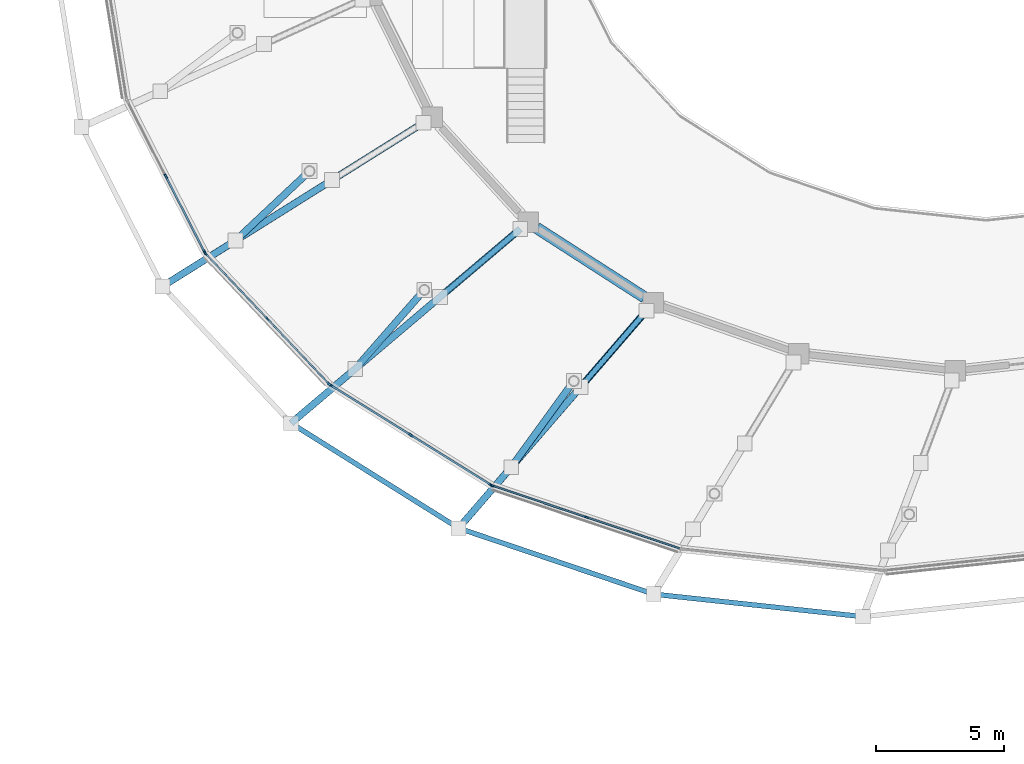
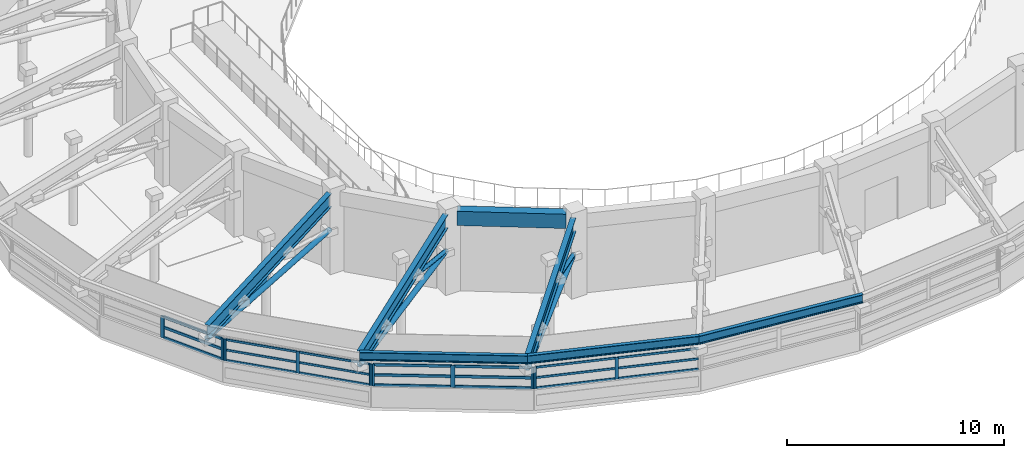
# One storey, part 12 of 58: 39 members, 7 beams, 4 elements without a shape of their own.
"""IFC4 building model written with IfcOpenShell, lengths in metres."""

from ifc_helpers import new_model, si_unit, direction, frame, origin, origin_2d, place, context, subcontext, project, spatial, rectangle, hollow_circle, i_section, extrude, material, material_profile, profile_set, type_object, element, aggregate, save


model = new_model("IFC4")

# Units and contexts
model_context = context("Model", 3, precision=1e-05, world=origin(), true_north=direction((0.0, 1.0)))
body_context = subcontext(model_context, "Body", "Model", "MODEL_VIEW")
ifc_project = project(units=[si_unit("LENGTHUNIT", "METRE"), si_unit("AREAUNIT", "SQUARE_METRE"), si_unit("VOLUMEUNIT", "CUBIC_METRE"), si_unit("PLANEANGLEUNIT", "RADIAN"), si_unit("MASSUNIT", "GRAM", prefix="KILO")], contexts=[model_context])

# Site, building, storey
site_placement = place(None, origin())
site = spatial("IfcSite", under=ifc_project, at=site_placement, CompositionType="ELEMENT")
building_placement = place(site_placement, origin())
building = spatial("IfcBuilding", under=site, at=building_placement, Name="Parian Resonance Hall", CompositionType="ELEMENT")
storey_placement = place(building_placement, frame((0.0, 0.0, 10.199951171875)))
storey = spatial("IfcBuildingStorey", under=building, at=storey_placement, Name="L02", CompositionType="ELEMENT", Elevation=10.199951171875)

# Beams
ifc_material_1 = material(Name="Concrete C40/50", Category="concrete")
ifc_material_profile_1 = material_profile(ifc_material_1, rectangle(XDim=0.449951171875, YDim=0.800048828125, at=origin_2d()), Name="RC-BM-450x800")
ifc_profile_set_1 = profile_set([ifc_material_profile_1], Name="Concrete C40/50")
beam_type_1 = type_object("IfcBeamType", Name="BM-RC450x800", PredefinedType="USERDEFINED", material=ifc_profile_set_1)
beam_1_placement = place(storey_placement, frame((27.648681640625, 29.78271484375, 4.130126953125), z_axis=(0.840822266108, -0.541311293819, 0.0), x_axis=(0.541311293819, 0.840822266108, 0.0)))
element("IfcBeam", 1, at=beam_1_placement, inside=storey, type_object=beam_type_1, Name="Concert hall drum ring beam L02-16", ObjectType="GIRDER", PredefinedType="USERDEFINED", context=body_context, shape_type="SweptSolid", body=[
    extrude(rectangle(XDim=0.449951171875, YDim=0.800048828125, at=origin_2d()), origin(), (0.0, 0.0, 1.0), 5.012939453125),
])
ifc_material_2 = material(Name="Steel S355", Category="steel")
ifc_material_profile_2 = material_profile(ifc_material_2, i_section(OverallWidth=0.194091796875, OverallDepth=0.468994140625, WebThickness=0.0126953125, FlangeThickness=0.0205078125, FilletRadius=0.01513671875, at=origin_2d()), Name="W460x106")
ifc_profile_set_2 = profile_set([ifc_material_profile_2], Name="Steel S355")
beam_type_2 = type_object("IfcBeamType", Name="BM-W460x106", PredefinedType="SPANDREL", material=ifc_profile_set_2)
beam_2_placement = place(storey_placement, frame((18.055419921875, 22.156494140625, 4.265625), z_axis=(0.847434839889, -0.530899418103, 0.0), x_axis=(0.530899418103, 0.847434839889, 0.0)))
element("IfcBeam", 2, at=beam_2_placement, inside=storey, type_object=beam_type_2, Name="Elliptical R3 perimeter spandrel beam 16", PredefinedType="SPANDREL", context=body_context, shape_type="SweptSolid", body=[
    extrude(i_section(OverallWidth=0.194091796875, OverallDepth=0.468994140625, WebThickness=0.0126953125, FlangeThickness=0.0205078125, FilletRadius=0.01513671875, at=origin_2d()), origin(), (0.0, 0.0, 1.0), 7.722900390625),
])
beam_3_placement = place(storey_placement, frame((24.60009765625, 18.056396484375, 4.265625), z_axis=(0.947293493077, -0.320367036341, 0.0), x_axis=(0.320367036341, 0.947293493077, 0.0)))
element("IfcBeam", 3, at=beam_3_placement, inside=storey, type_object=beam_type_2, Name="Elliptical R3 perimeter spandrel beam 17", PredefinedType="SPANDREL", context=body_context, shape_type="SweptSolid", body=[
    extrude(i_section(OverallWidth=0.194091796875, OverallDepth=0.468994140625, WebThickness=0.0126953125, FlangeThickness=0.0205078125, FilletRadius=0.01513671875, at=origin_2d()), origin(), (0.0, 0.0, 1.0), 8.045166015625),
])
beam_4_placement = place(storey_placement, frame((32.22119140625, 15.47900390625, 4.265625), z_axis=(0.99427541963, -0.106847507781, 0.0), x_axis=(0.106847507781, 0.99427541963, 0.0)))
element("IfcBeam", 4, at=beam_4_placement, inside=storey, type_object=beam_type_2, Name="Elliptical R3 perimeter spandrel beam 18", PredefinedType="SPANDREL", context=body_context, shape_type="SweptSolid", body=[
    extrude(i_section(OverallWidth=0.194091796875, OverallDepth=0.468994140625, WebThickness=0.0126953125, FlangeThickness=0.0205078125, FilletRadius=0.01513671875, at=origin_2d()), origin(), (0.0, 0.0, 1.0), 8.225830078125),
])
ifc_material_3 = material(Name="Steel S355", Category="steel")
ifc_material_profile_3 = material_profile(ifc_material_3, i_section(OverallWidth=0.26806640625, OverallDepth=0.77001953125, WebThickness=0.015625, FlangeThickness=0.025390625, FilletRadius=0.020263671875, at=origin_2d()), Name="W760x196")
ifc_profile_set_3 = profile_set([ifc_material_profile_3], Name="Steel S355")
beam_type_3 = type_object("IfcBeamType", Name="CG3 W760x196", PredefinedType="USERDEFINED", material=ifc_profile_set_3)
beam_5_placement = place(storey_placement, frame((23.222900390625, 33.887451171875, 4.114990234375), z_axis=(-0.84728013398, -0.531146283582, 0.0), x_axis=(0.531146283582, -0.84728013398, 0.0)))
element("IfcBeam", 5, at=beam_5_placement, inside=storey, type_object=beam_type_3, Name="Radial ring cantilever girder R3-15", ObjectType="GIRDER", PredefinedType="USERDEFINED", context=body_context, shape_type="SweptSolid", body=[
    extrude(i_section(OverallWidth=0.26806640625, OverallDepth=0.77001953125, WebThickness=0.015625, FlangeThickness=0.025390625, FilletRadius=0.020263671875, at=origin_2d()), origin(), (0.0, 0.0, 1.0), 12.02587890625),
])
beam_6_placement = place(storey_placement, frame((27.007080078125, 29.74072265625, 4.114990234375), z_axis=(-0.762976484964, -0.646426239715, 0.0), x_axis=(0.646426239715, -0.762976484964, 0.0)))
element("IfcBeam", 6, at=beam_6_placement, inside=storey, type_object=beam_type_3, Name="Radial ring cantilever girder R3-16", ObjectType="GIRDER", PredefinedType="USERDEFINED", context=body_context, shape_type="SweptSolid", body=[
    extrude(i_section(OverallWidth=0.26806640625, OverallDepth=0.77001953125, WebThickness=0.015625, FlangeThickness=0.025390625, FilletRadius=0.020263671875, at=origin_2d()), origin(), (0.0, 0.0, 1.0), 11.732666015625),
])
beam_7_placement = place(storey_placement, frame((31.9384765625, 26.550048828125, 4.114990234375), z_axis=(-0.653770487873, -0.756692902825, 0.0), x_axis=(0.756692902825, -0.653770487873, 0.0)))
element("IfcBeam", 7, at=beam_7_placement, inside=storey, type_object=beam_type_3, Name="Radial ring cantilever girder R3-17", ObjectType="GIRDER", PredefinedType="USERDEFINED", context=body_context, shape_type="SweptSolid", body=[
    extrude(i_section(OverallWidth=0.26806640625, OverallDepth=0.77001953125, WebThickness=0.015625, FlangeThickness=0.025390625, FilletRadius=0.020263671875, at=origin_2d()), origin(), (0.0, 0.0, 1.0), 11.224609375),
])

# Curtain wall, members
ifc_material_4 = material(Name="Bronze-anodised aluminium frame", Category="aluminium")
curtain_wall_type_1 = type_object("IfcCurtainWallType", Name="CW-SYS-04", PredefinedType="NOTDEFINED", material=ifc_material_4)
curtain_wall_1_placement = place(storey_placement, origin())
curtain_wall_1 = element("IfcCurtainWall", 8, at=curtain_wall_1_placement, inside=storey, type_object=curtain_wall_type_1, Name="Elliptical R2 recessed strip curtain wall 15", PredefinedType="NOTDEFINED")
ifc_material_5 = material(Name="Bronze-anodised aluminium frame", Category="aluminium")
ifc_material_profile_4 = material_profile(ifc_material_5, rectangle(XDim=0.06494140625, YDim=0.159912109375, at=origin_2d()), Name="CWM-65x160")
ifc_profile_set_4 = profile_set([ifc_material_profile_4], Name="Bronze-anodised aluminium frame")
member_type_1 = type_object("IfcMemberType", Name="CWM-65x160", PredefinedType="MULLION", material=ifc_profile_set_4)
member_1_placement = place(storey_placement, frame((19.5400390625, 23.6875, 1.14208984375), z_axis=(0.0, 0.0, 1.0), x_axis=(-0.72616255486, -0.687523049737, 0.0)))
member_1 = element("IfcMember", 9, at=member_1_placement, type_object=member_type_1, Name="CW-04 mullion 1", PredefinedType="MULLION", context=body_context, shape_type="SweptSolid", body=[
    extrude(rectangle(XDim=0.06494140625, YDim=0.159912109375, at=origin_2d()), origin(), (0.0, 0.0, 1.0), 1.218017578125),
])
member_2_placement = place(storey_placement, frame((17.131103515625, 26.23193359375, 1.14208984375), z_axis=(0.0, 0.0, 1.0), x_axis=(-0.72616255486, -0.687523049737, 0.0)))
member_2 = element("IfcMember", 10, at=member_2_placement, type_object=member_type_1, Name="CW-04 mullion 2", PredefinedType="MULLION", context=body_context, shape_type="SweptSolid", body=[
    extrude(rectangle(XDim=0.06494140625, YDim=0.159912109375, at=origin_2d()), origin(), (0.0, 0.0, 1.0), 1.218017578125),
])
member_3_placement = place(storey_placement, frame((14.721923828125, 28.7763671875, 1.14208984375), z_axis=(0.0, 0.0, 1.0), x_axis=(-0.72616255486, -0.687523049737, 0.0)))
member_3 = element("IfcMember", 11, at=member_3_placement, type_object=member_type_1, Name="CW-04 mullion 3", PredefinedType="MULLION", context=body_context, shape_type="SweptSolid", body=[
    extrude(rectangle(XDim=0.06494140625, YDim=0.159912109375, at=origin_2d()), origin(), (0.0, 0.0, 1.0), 1.218017578125),
])

ifc_material_6 = material(Name="Bronze-anodised aluminium frame", Category="aluminium")
curtain_wall_type_2 = type_object("IfcCurtainWallType", Name="CW-SYS-06", PredefinedType="NOTDEFINED", material=ifc_material_6)
curtain_wall_2_placement = place(storey_placement, origin())
curtain_wall_2 = element("IfcCurtainWall", 12, at=curtain_wall_2_placement, inside=storey, type_object=curtain_wall_type_2, Name="Elliptical R2 recessed strip curtain wall 17", PredefinedType="NOTDEFINED")
member_4_placement = place(storey_placement, frame((29.590087890625, 18.48388671875, 1.14208984375), z_axis=(0.0, 0.0, 1.0), x_axis=(-0.318257900904, -0.948004171147, 0.0)))
member_4 = element("IfcMember", 13, at=member_4_placement, type_object=member_type_1, Name="CW-06 mullion 2", PredefinedType="MULLION", context=body_context, shape_type="SweptSolid", body=[
    extrude(rectangle(XDim=0.06494140625, YDim=0.159912109375, at=origin_2d()), origin(), (0.0, 0.0, 1.0), 1.218017578125),
])
member_5_placement = place(storey_placement, frame((25.930908203125, 19.712158203125, 1.14208984375), z_axis=(0.0, 0.0, 1.0), x_axis=(-0.318257900904, -0.948004171147, 0.0)))
member_5 = element("IfcMember", 14, at=member_5_placement, type_object=member_type_1, Name="CW-06 mullion 3", PredefinedType="MULLION", context=body_context, shape_type="SweptSolid", body=[
    extrude(rectangle(XDim=0.06494140625, YDim=0.159912109375, at=origin_2d()), origin(), (0.0, 0.0, 1.0), 1.218017578125),
])

ifc_material_7 = material(Name="Bronze-anodised aluminium frame", Category="aluminium")
curtain_wall_type_3 = type_object("IfcCurtainWallType", Name="CW-SYS-03", PredefinedType="NOTDEFINED", material=ifc_material_7)
curtain_wall_3_placement = place(storey_placement, origin())
curtain_wall_3 = element("IfcCurtainWall", 15, at=curtain_wall_3_placement, inside=storey, type_object=curtain_wall_type_3, Name="Elliptical R2 recessed strip curtain wall 14", PredefinedType="NOTDEFINED")
ifc_material_8 = material(Name="Bronze-anodised aluminium frame", Category="aluminium")
ifc_material_profile_5 = material_profile(ifc_material_8, rectangle(XDim=0.074951171875, YDim=0.199951171875, at=origin_2d()), Name="CWM-75x200")
ifc_profile_set_5 = profile_set([ifc_material_profile_5], Name="Bronze-anodised aluminium frame")
member_type_2 = type_object("IfcMemberType", Name="CWM-75x200", PredefinedType="MULLION", material=ifc_profile_set_5)
member_6_placement = place(storey_placement, frame((14.6826171875, 28.83349609375, 1.14208984375), z_axis=(0.0, 0.0, 1.0), x_axis=(-0.890447284085, -0.455086403076, 0.0)))
member_6 = element("IfcMember", 16, at=member_6_placement, type_object=member_type_2, Name="CW-03 mullion 1", PredefinedType="MULLION", context=body_context, shape_type="SweptSolid", body=[
    extrude(rectangle(XDim=0.074951171875, YDim=0.199951171875, at=origin_2d()), origin(), (0.0, 0.0, 1.0), 1.218017578125),
])
member_7_placement = place(storey_placement, frame((13.171142578125, 31.790771484375, 1.14208984375), z_axis=(0.0, 0.0, 1.0), x_axis=(-0.890447284085, -0.455086403076, 0.0)))
member_7 = element("IfcMember", 17, at=member_7_placement, type_object=member_type_2, Name="CW-03 mullion 2", PredefinedType="MULLION", context=body_context, shape_type="SweptSolid", body=[
    extrude(rectangle(XDim=0.074951171875, YDim=0.199951171875, at=origin_2d()), origin(), (0.0, 0.0, 1.0), 1.218017578125),
])

ifc_material_9 = material(Name="Bronze-anodised aluminium frame", Category="aluminium")
curtain_wall_type_4 = type_object("IfcCurtainWallType", Name="CW-SYS-05", PredefinedType="NOTDEFINED", material=ifc_material_9)
curtain_wall_4_placement = place(storey_placement, origin())
curtain_wall_4 = element("IfcCurtainWall", 18, at=curtain_wall_4_placement, inside=storey, type_object=curtain_wall_type_4, Name="Elliptical R2 recessed strip curtain wall 16", PredefinedType="NOTDEFINED")
member_8_placement = place(storey_placement, frame((25.8681640625, 19.742431640625, 1.14208984375), z_axis=(0.0, 0.0, 1.0), x_axis=(-0.528095800526, -0.849184800539, 0.0)))
member_8 = element("IfcMember", 19, at=member_8_placement, type_object=member_type_2, Name="CW-05 mullion 1", PredefinedType="MULLION", context=body_context, shape_type="SweptSolid", body=[
    extrude(rectangle(XDim=0.074951171875, YDim=0.199951171875, at=origin_2d()), origin(), (0.0, 0.0, 1.0), 1.218017578125),
])
member_9_placement = place(storey_placement, frame((22.731201171875, 21.693115234375, 1.14208984375), z_axis=(0.0, 0.0, 1.0), x_axis=(-0.528095800526, -0.849184800539, 0.0)))
member_9 = element("IfcMember", 20, at=member_9_placement, type_object=member_type_2, Name="CW-05 mullion 2", PredefinedType="MULLION", context=body_context, shape_type="SweptSolid", body=[
    extrude(rectangle(XDim=0.074951171875, YDim=0.199951171875, at=origin_2d()), origin(), (0.0, 0.0, 1.0), 1.218017578125),
])
member_10_placement = place(storey_placement, frame((19.59423828125, 23.64404296875, 1.14208984375), z_axis=(0.0, 0.0, 1.0), x_axis=(-0.528095800526, -0.849184800539, 0.0)))
member_10 = element("IfcMember", 21, at=member_10_placement, type_object=member_type_2, Name="CW-05 mullion 3", PredefinedType="MULLION", context=body_context, shape_type="SweptSolid", body=[
    extrude(rectangle(XDim=0.074951171875, YDim=0.199951171875, at=origin_2d()), origin(), (0.0, 0.0, 1.0), 1.218017578125),
])

# Member
ifc_material_10 = material(Name="Bronze-anodised aluminium frame", Category="aluminium")
ifc_material_profile_6 = material_profile(ifc_material_10, rectangle(XDim=0.06494140625, YDim=0.1201171875, at=origin_2d()), Name="CWT-65x120")
ifc_profile_set_6 = profile_set([ifc_material_profile_6], Name="Bronze-anodised aluminium frame")
member_type_3 = type_object("IfcMemberType", Name="CWT-65x120", PredefinedType="USERDEFINED", material=ifc_profile_set_6)
member_11_placement = place(storey_placement, frame((19.517822265625, 23.7109375, 1.174560546875), z_axis=(-0.68753393021, 0.726152253188, 0.0), x_axis=(-0.726152253188, -0.68753393021, 0.0)))
member_11 = element("IfcMember", 22, at=member_11_placement, type_object=member_type_3, Name="CW-04 transom 1.1", ObjectType="TRANSOM", PredefinedType="USERDEFINED", context=body_context, shape_type="SweptSolid", body=[
    extrude(rectangle(XDim=0.06494140625, YDim=0.1201171875, at=origin_2d()), origin(), (0.0, 0.0, 1.0), 3.439208984375),
])

member_12_placement = place(storey_placement, frame((19.517822265625, 23.7109375, 1.75), z_axis=(-0.68753393021, 0.726152253188, 0.0), x_axis=(-0.726152253188, -0.68753393021, 0.0)))
member_12 = element("IfcMember", 23, at=member_12_placement, type_object=member_type_3, Name="CW-04 transom 1.2", ObjectType="TRANSOM", PredefinedType="USERDEFINED", context=body_context, shape_type="SweptSolid", body=[
    extrude(rectangle(XDim=0.06494140625, YDim=0.1201171875, at=origin_2d()), origin(), (0.0, 0.0, 1.0), 3.439208984375),
])

member_13_placement = place(storey_placement, frame((19.517822265625, 23.7109375, 2.32763671875), z_axis=(-0.68753393021, 0.726152253188, 0.0), x_axis=(-0.726152253188, -0.68753393021, 0.0)))
member_13 = element("IfcMember", 24, at=member_13_placement, type_object=member_type_3, Name="CW-04 transom 1.3", ObjectType="TRANSOM", PredefinedType="USERDEFINED", context=body_context, shape_type="SweptSolid", body=[
    extrude(rectangle(XDim=0.06494140625, YDim=0.1201171875, at=origin_2d()), origin(), (0.0, 0.0, 1.0), 3.439208984375),
])

member_14_placement = place(storey_placement, frame((17.108642578125, 26.255615234375, 1.174560546875), z_axis=(-0.687531939263, 0.726154138247, 0.0), x_axis=(-0.726154138247, -0.687531939263, 0.0)))
member_14 = element("IfcMember", 25, at=member_14_placement, type_object=member_type_3, Name="CW-04 transom 2.1", ObjectType="TRANSOM", PredefinedType="USERDEFINED", context=body_context, shape_type="SweptSolid", body=[
    extrude(rectangle(XDim=0.06494140625, YDim=0.1201171875, at=origin_2d()), origin(), (0.0, 0.0, 1.0), 3.438720703125),
])

member_15_placement = place(storey_placement, frame((17.108642578125, 26.255615234375, 1.75), z_axis=(-0.687531939263, 0.726154138247, 0.0), x_axis=(-0.726154138247, -0.687531939263, 0.0)))
member_15 = element("IfcMember", 26, at=member_15_placement, type_object=member_type_3, Name="CW-04 transom 2.2", ObjectType="TRANSOM", PredefinedType="USERDEFINED", context=body_context, shape_type="SweptSolid", body=[
    extrude(rectangle(XDim=0.06494140625, YDim=0.1201171875, at=origin_2d()), origin(), (0.0, 0.0, 1.0), 3.438720703125),
])

member_16_placement = place(storey_placement, frame((17.108642578125, 26.255615234375, 2.32763671875), z_axis=(-0.687531939263, 0.726154138247, 0.0), x_axis=(-0.726154138247, -0.687531939263, 0.0)))
member_16 = element("IfcMember", 27, at=member_16_placement, type_object=member_type_3, Name="CW-04 transom 2.3", ObjectType="TRANSOM", PredefinedType="USERDEFINED", context=body_context, shape_type="SweptSolid", body=[
    extrude(rectangle(XDim=0.06494140625, YDim=0.1201171875, at=origin_2d()), origin(), (0.0, 0.0, 1.0), 3.438720703125),
])

aggregate(curtain_wall_1, [member_1, member_2, member_3, member_11, member_12, member_13, member_14, member_15, member_16])

member_17_placement = place(storey_placement, frame((33.218505859375, 17.265625, 1.174560546875), z_axis=(-0.948005641054, 0.318253522414, 0.0), x_axis=(-0.318253522414, -0.948005641054, 0.0)))
member_17 = element("IfcMember", 28, at=member_17_placement, type_object=member_type_3, Name="CW-06 transom 1.1", ObjectType="TRANSOM", PredefinedType="USERDEFINED", context=body_context, shape_type="SweptSolid", body=[
    extrude(rectangle(XDim=0.06494140625, YDim=0.1201171875, at=origin_2d()), origin(), (0.0, 0.0, 1.0), 3.794921875),
])

member_18_placement = place(storey_placement, frame((33.218505859375, 17.265625, 1.75), z_axis=(-0.948005641054, 0.318253522414, 0.0), x_axis=(-0.318253522414, -0.948005641054, 0.0)))
member_18 = element("IfcMember", 29, at=member_18_placement, type_object=member_type_3, Name="CW-06 transom 1.2", ObjectType="TRANSOM", PredefinedType="USERDEFINED", context=body_context, shape_type="SweptSolid", body=[
    extrude(rectangle(XDim=0.06494140625, YDim=0.1201171875, at=origin_2d()), origin(), (0.0, 0.0, 1.0), 3.794921875),
])

member_19_placement = place(storey_placement, frame((33.218505859375, 17.265625, 2.32763671875), z_axis=(-0.948005641054, 0.318253522414, 0.0), x_axis=(-0.318253522414, -0.948005641054, 0.0)))
member_19 = element("IfcMember", 30, at=member_19_placement, type_object=member_type_3, Name="CW-06 transom 1.3", ObjectType="TRANSOM", PredefinedType="USERDEFINED", context=body_context, shape_type="SweptSolid", body=[
    extrude(rectangle(XDim=0.06494140625, YDim=0.1201171875, at=origin_2d()), origin(), (0.0, 0.0, 1.0), 3.794921875),
])

member_20_placement = place(storey_placement, frame((29.559326171875, 18.494140625, 1.174560546875), z_axis=(-0.948005641054, 0.318253522414, 0.0), x_axis=(-0.318253522414, -0.948005641054, 0.0)))
member_20 = element("IfcMember", 31, at=member_20_placement, type_object=member_type_3, Name="CW-06 transom 2.1", ObjectType="TRANSOM", PredefinedType="USERDEFINED", context=body_context, shape_type="SweptSolid", body=[
    extrude(rectangle(XDim=0.06494140625, YDim=0.1201171875, at=origin_2d()), origin(), (0.0, 0.0, 1.0), 3.794921875),
])

member_21_placement = place(storey_placement, frame((29.559326171875, 18.494140625, 1.75), z_axis=(-0.948005641054, 0.318253522414, 0.0), x_axis=(-0.318253522414, -0.948005641054, 0.0)))
member_21 = element("IfcMember", 32, at=member_21_placement, type_object=member_type_3, Name="CW-06 transom 2.2", ObjectType="TRANSOM", PredefinedType="USERDEFINED", context=body_context, shape_type="SweptSolid", body=[
    extrude(rectangle(XDim=0.06494140625, YDim=0.1201171875, at=origin_2d()), origin(), (0.0, 0.0, 1.0), 3.794921875),
])

member_22_placement = place(storey_placement, frame((29.559326171875, 18.494140625, 2.32763671875), z_axis=(-0.948005641054, 0.318253522414, 0.0), x_axis=(-0.318253522414, -0.948005641054, 0.0)))
member_22 = element("IfcMember", 33, at=member_22_placement, type_object=member_type_3, Name="CW-06 transom 2.3", ObjectType="TRANSOM", PredefinedType="USERDEFINED", context=body_context, shape_type="SweptSolid", body=[
    extrude(rectangle(XDim=0.06494140625, YDim=0.1201171875, at=origin_2d()), origin(), (0.0, 0.0, 1.0), 3.794921875),
])

aggregate(curtain_wall_2, [member_4, member_5, member_17, member_18, member_19, member_20, member_21, member_22])

ifc_material_11 = material(Name="Bronze-anodised aluminium frame", Category="aluminium")
ifc_material_profile_7 = material_profile(ifc_material_11, rectangle(XDim=0.074951171875, YDim=0.14990234375, at=origin_2d()), Name="CWT-75x150")
ifc_profile_set_7 = profile_set([ifc_material_profile_7], Name="Bronze-anodised aluminium frame")
member_type_4 = type_object("IfcMemberType", Name="CWT-75x150", PredefinedType="USERDEFINED", material=ifc_profile_set_7)
member_23_placement = place(storey_placement, frame((14.66552734375, 28.86669921875, 1.179443359375), z_axis=(-0.455077931853, 0.890451613475, 0.0), x_axis=(-0.890451613475, -0.455077931853, 0.0)))
member_23 = element("IfcMember", 34, at=member_23_placement, type_object=member_type_4, Name="CW-03 transom 1.1", ObjectType="TRANSOM", PredefinedType="USERDEFINED", context=body_context, shape_type="SweptSolid", body=[
    extrude(rectangle(XDim=0.074951171875, YDim=0.14990234375, at=origin_2d()), origin(), (0.0, 0.0, 1.0), 3.246337890625),
])

member_24_placement = place(storey_placement, frame((14.66552734375, 28.86669921875, 1.75), z_axis=(-0.455077931853, 0.890451613475, 0.0), x_axis=(-0.890451613475, -0.455077931853, 0.0)))
member_24 = element("IfcMember", 35, at=member_24_placement, type_object=member_type_4, Name="CW-03 transom 1.2", ObjectType="TRANSOM", PredefinedType="USERDEFINED", context=body_context, shape_type="SweptSolid", body=[
    extrude(rectangle(XDim=0.074951171875, YDim=0.14990234375, at=origin_2d()), origin(), (0.0, 0.0, 1.0), 3.246337890625),
])

member_25_placement = place(storey_placement, frame((14.66552734375, 28.86669921875, 2.322509765625), z_axis=(-0.455077931853, 0.890451613475, 0.0), x_axis=(-0.890451613475, -0.455077931853, 0.0)))
member_25 = element("IfcMember", 36, at=member_25_placement, type_object=member_type_4, Name="CW-03 transom 1.3", ObjectType="TRANSOM", PredefinedType="USERDEFINED", context=body_context, shape_type="SweptSolid", body=[
    extrude(rectangle(XDim=0.074951171875, YDim=0.14990234375, at=origin_2d()), origin(), (0.0, 0.0, 1.0), 3.246337890625),
])

aggregate(curtain_wall_3, [member_6, member_7, member_23, member_24, member_25])

member_26_placement = place(storey_placement, frame((25.83642578125, 19.76220703125, 1.179443359375), z_axis=(-0.849193753798, 0.528081403299, 0.0), x_axis=(-0.528081403299, -0.849193753798, 0.0)))
member_26 = element("IfcMember", 37, at=member_26_placement, type_object=member_type_4, Name="CW-05 transom 1.1", ObjectType="TRANSOM", PredefinedType="USERDEFINED", context=body_context, shape_type="SweptSolid", body=[
    extrude(rectangle(XDim=0.074951171875, YDim=0.14990234375, at=origin_2d()), origin(), (0.0, 0.0, 1.0), 3.618896484375),
])

member_27_placement = place(storey_placement, frame((25.83642578125, 19.76220703125, 1.75), z_axis=(-0.849193753798, 0.528081403299, 0.0), x_axis=(-0.528081403299, -0.849193753798, 0.0)))
member_27 = element("IfcMember", 38, at=member_27_placement, type_object=member_type_4, Name="CW-05 transom 1.2", ObjectType="TRANSOM", PredefinedType="USERDEFINED", context=body_context, shape_type="SweptSolid", body=[
    extrude(rectangle(XDim=0.074951171875, YDim=0.14990234375, at=origin_2d()), origin(), (0.0, 0.0, 1.0), 3.618896484375),
])

member_28_placement = place(storey_placement, frame((25.83642578125, 19.76220703125, 2.322509765625), z_axis=(-0.849193753798, 0.528081403299, 0.0), x_axis=(-0.528081403299, -0.849193753798, 0.0)))
member_28 = element("IfcMember", 39, at=member_28_placement, type_object=member_type_4, Name="CW-05 transom 1.3", ObjectType="TRANSOM", PredefinedType="USERDEFINED", context=body_context, shape_type="SweptSolid", body=[
    extrude(rectangle(XDim=0.074951171875, YDim=0.14990234375, at=origin_2d()), origin(), (0.0, 0.0, 1.0), 3.618896484375),
])

member_29_placement = place(storey_placement, frame((22.699462890625, 21.712890625, 1.179443359375), z_axis=(-0.84916350123, 0.528130048548, 0.0), x_axis=(-0.528130048548, -0.84916350123, 0.0)))
member_29 = element("IfcMember", 40, at=member_29_placement, type_object=member_type_4, Name="CW-05 transom 2.1", ObjectType="TRANSOM", PredefinedType="USERDEFINED", context=body_context, shape_type="SweptSolid", body=[
    extrude(rectangle(XDim=0.074951171875, YDim=0.14990234375, at=origin_2d()), origin(), (0.0, 0.0, 1.0), 3.619140625),
])

member_30_placement = place(storey_placement, frame((22.699462890625, 21.712890625, 1.75), z_axis=(-0.84916350123, 0.528130048548, 0.0), x_axis=(-0.528130048548, -0.84916350123, 0.0)))
member_30 = element("IfcMember", 41, at=member_30_placement, type_object=member_type_4, Name="CW-05 transom 2.2", ObjectType="TRANSOM", PredefinedType="USERDEFINED", context=body_context, shape_type="SweptSolid", body=[
    extrude(rectangle(XDim=0.074951171875, YDim=0.14990234375, at=origin_2d()), origin(), (0.0, 0.0, 1.0), 3.619140625),
])

member_31_placement = place(storey_placement, frame((22.699462890625, 21.712890625, 2.322509765625), z_axis=(-0.84916350123, 0.528130048548, 0.0), x_axis=(-0.528130048548, -0.84916350123, 0.0)))
member_31 = element("IfcMember", 42, at=member_31_placement, type_object=member_type_4, Name="CW-05 transom 2.3", ObjectType="TRANSOM", PredefinedType="USERDEFINED", context=body_context, shape_type="SweptSolid", body=[
    extrude(rectangle(XDim=0.074951171875, YDim=0.14990234375, at=origin_2d()), origin(), (0.0, 0.0, 1.0), 3.619140625),
])

aggregate(curtain_wall_4, [member_8, member_9, member_10, member_26, member_27, member_28, member_29, member_30, member_31])

# Members
ifc_material_12 = material(Name="Hollow structural steel S355", Category="steel")
ifc_material_profile_8 = material_profile(ifc_material_12, hollow_circle(Radius=0.109619140625, WallThickness=0.010009765625, at=origin_2d()), Name="CHS219.1x10")
ifc_profile_set_8 = profile_set([ifc_material_profile_8], Name="Hollow structural steel S355")
member_type_5 = type_object("IfcMemberType", Name="MEM-CHS219", PredefinedType="CHORD", material=ifc_profile_set_8)
member_32_placement = place(storey_placement, frame((27.007080078125, 29.74072265625, 2.400146484375), z_axis=(-0.724810970892, -0.614109692707, 0.312279268921), x_axis=(0.646437824396, -0.762966669776, 0.0)))
element("IfcMember", 43, at=member_32_placement, inside=storey, type_object=member_type_5, Name="Elliptical ring truss inner web R3-16", PredefinedType="CHORD", context=body_context, shape_type="SweptSolid", body=[
    extrude(hollow_circle(Radius=0.109619140625, WallThickness=0.010009765625, at=origin_2d()), origin(), (0.0, 0.0, 1.0), 4.322509765625),
])
member_33_placement = place(storey_placement, frame((31.9384765625, 26.550048828125, 2.400146484375), z_axis=(-0.618294016173, -0.715622427844, 0.324956997664), x_axis=(0.756688844875, -0.653775184633, 0.0)))
element("IfcMember", 44, at=member_33_placement, inside=storey, type_object=member_type_5, Name="Elliptical ring truss inner web R3-17", PredefinedType="CHORD", context=body_context, shape_type="SweptSolid", body=[
    extrude(hollow_circle(Radius=0.109619140625, WallThickness=0.010009765625, at=origin_2d()), origin(), (0.0, 0.0, 1.0), 4.154052734375),
])
ifc_material_13 = material(Name="Hollow structural steel S355", Category="steel")
ifc_material_profile_9 = material_profile(ifc_material_13, hollow_circle(Radius=0.136474609375, WallThickness=0.012451171875, at=origin_2d()), Name="CHS273x12.5")
ifc_profile_set_9 = profile_set([ifc_material_profile_9], Name="Hollow structural steel S355")
member_type_6 = type_object("IfcMemberType", Name="MEM-CHS273", PredefinedType="CHORD", material=ifc_profile_set_9)
member_34_placement = place(storey_placement, frame((23.222900390625, 33.887451171875, 2.400146484375), z_axis=(-0.841992479419, -0.527831538015, 0.111546098448), x_axis=(0.531146283582, -0.84728013398, 0.0)))
element("IfcMember", 45, at=member_34_placement, inside=storey, type_object=member_type_6, Name="Elliptical ring truss lower chord R3-15", PredefinedType="CHORD", context=body_context, shape_type="SweptSolid", body=[
    extrude(hollow_circle(Radius=0.136474609375, WallThickness=0.012451171875, at=origin_2d()), origin(), (0.0, 0.0, 1.0), 12.101318359375),
])
member_35_placement = place(storey_placement, frame((27.007080078125, 29.74072265625, 2.400146484375), z_axis=(-0.757976324296, -0.642189890205, 0.114298017156), x_axis=(0.646426239715, -0.762976484964, 0.0)))
element("IfcMember", 46, at=member_35_placement, inside=storey, type_object=member_type_6, Name="Elliptical ring truss lower chord R3-16", PredefinedType="CHORD", context=body_context, shape_type="SweptSolid", body=[
    extrude(hollow_circle(Radius=0.136474609375, WallThickness=0.012451171875, at=origin_2d()), origin(), (0.0, 0.0, 1.0), 11.81005859375),
])
member_36_placement = place(storey_placement, frame((31.9384765625, 26.550048828125, 2.400146484375), z_axis=(-0.64909378935, -0.751279956467, 0.119397150885), x_axis=(0.756692902825, -0.653770487873, 0.0)))
element("IfcMember", 47, at=member_36_placement, inside=storey, type_object=member_type_6, Name="Elliptical ring truss lower chord R3-17", PredefinedType="CHORD", context=body_context, shape_type="SweptSolid", body=[
    extrude(hollow_circle(Radius=0.136474609375, WallThickness=0.012451171875, at=origin_2d()), origin(), (0.0, 0.0, 1.0), 11.3056640625),
])
ifc_material_14 = material(Name="Hollow structural steel S355", Category="steel")
ifc_material_profile_10 = material_profile(ifc_material_14, hollow_circle(Radius=0.136474609375, WallThickness=0.012451171875, at=origin_2d()), Name="CHS273x12.5")
ifc_profile_set_10 = profile_set([ifc_material_profile_10], Name="Hollow structural steel S355")
member_type_7 = type_object("IfcMemberType", Name="MEM-STRUT273", PredefinedType="BRACE", material=ifc_profile_set_10)
member_37_placement = place(storey_placement, frame((18.778076171875, 32.0, 2.400146484375), z_axis=(-0.69049850288, -0.647528191589, 0.32236479122), x_axis=(0.684045611324, -0.729439237791, 0.0)))
element("IfcMember", 48, at=member_37_placement, inside=storey, type_object=member_type_7, Name="Elliptical ring raking strut R3-15", PredefinedType="BRACE", context=body_context, shape_type="SweptSolid", body=[
    extrude(hollow_circle(Radius=0.136474609375, WallThickness=0.012451171875, at=origin_2d()), origin(), (0.0, 0.0, 1.0), 4.187255859375),
])
member_38_placement = place(storey_placement, frame((23.259521484375, 27.36083984375, 2.400146484375), z_axis=(-0.625662658272, -0.714509134046, 0.313086146944), x_axis=(0.752332871574, -0.658783158823, 0.0)))
element("IfcMember", 49, at=member_38_placement, inside=storey, type_object=member_type_7, Name="Elliptical ring raking strut R3-16", PredefinedType="BRACE", context=body_context, shape_type="SweptSolid", body=[
    extrude(hollow_circle(Radius=0.136474609375, WallThickness=0.012451171875, at=origin_2d()), origin(), (0.0, 0.0, 1.0), 4.3115234375),
])
member_39_placement = place(storey_placement, frame((29.10009765625, 23.801025390625, 2.400146484375), z_axis=(-0.559039440178, -0.769572264494, 0.308599147838), x_axis=(0.809060755065, -0.587725016154, 0.0)))
element("IfcMember", 50, at=member_39_placement, inside=storey, type_object=member_type_7, Name="Elliptical ring raking strut R3-17", PredefinedType="BRACE", context=body_context, shape_type="SweptSolid", body=[
    extrude(hollow_circle(Radius=0.136474609375, WallThickness=0.012451171875, at=origin_2d()), origin(), (0.0, 0.0, 1.0), 4.3740234375),
])

save(model, "model.ifc")
